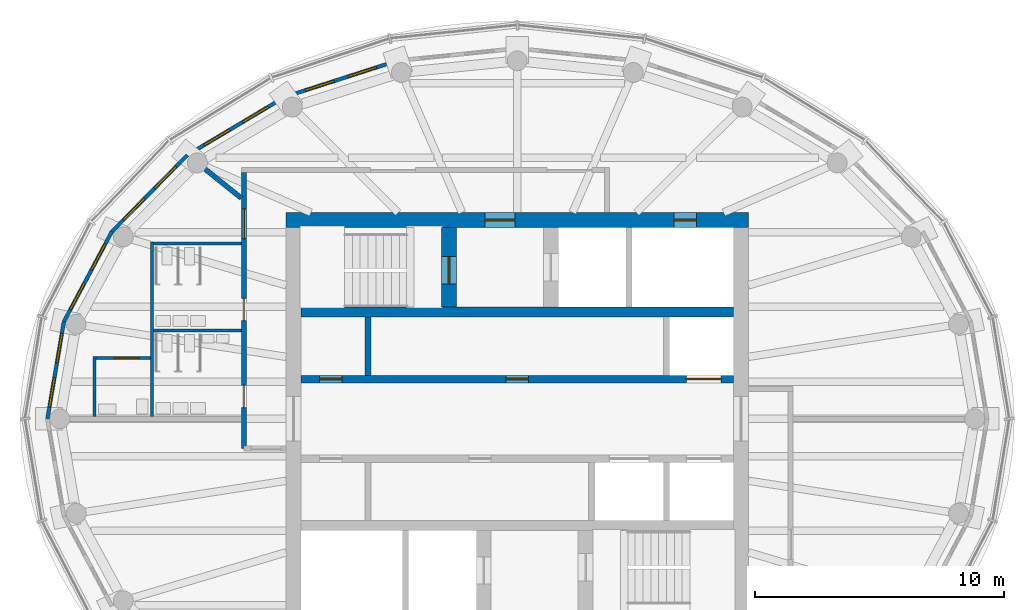
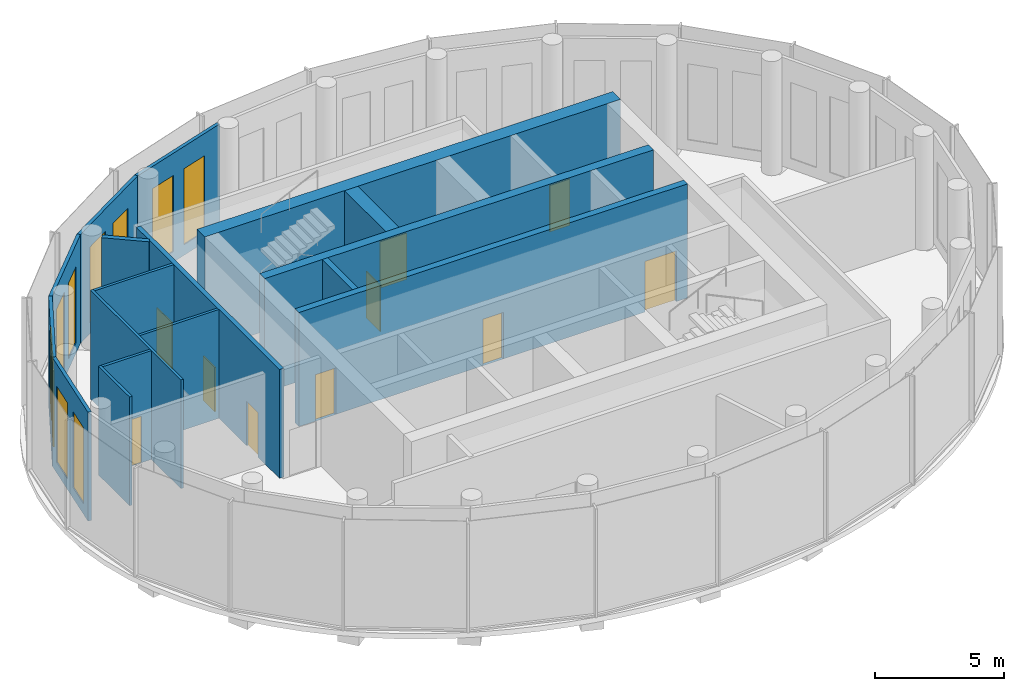
# One storey, part 6 of 11: 17 walls, 10 doors, 10 windows, 20 openings.
"""IFC4 building model written with IfcOpenShell, lengths in metres."""

import ifcopenshell
import ifcopenshell.guid

model = None  # the IFC model being written
_history = None  # IfcOwnerHistory: only IFC2X3 demands one
_inside = {}  # id of a spatial element -> (the spatial element, [elements in it])
_under = {}  # id of a project, library or spatial element -> (it, [spatial elements below it])
_declared = {}  # id of a project -> (the project, [libraries it declares])
_typed = {}  # id of a type object -> (the type object, [elements of that type])
_made_of = {}  # id of a material, layer set ... -> (it, [elements and type objects made of it])


def new_model(schema):
    """Start an empty IFC model of exactly this schema.

    Asked for "IFC4X3", IfcOpenShell would pick the latest addendum, in which some entities
    have other attributes; the version numbers below select the first issue.
    IFC2X3 requires an IfcOwnerHistory on every rooted entity: one is made here for all.
    """
    global model, _history
    if schema == "IFC4X3":
        model = ifcopenshell.file(schema_version=(4, 3, 0, 0))
    else:
        model = ifcopenshell.file(schema=schema)
    _inside.clear()
    _under.clear()
    _declared.clear()
    _typed.clear()
    _made_of.clear()
    _history = None
    if model.schema == "IFC2X3":
        org = make("IfcOrganization", Name="unknown")
        user = make(
            "IfcPersonAndOrganization",
            ThePerson=make("IfcPerson", FamilyName="unknown"),
            TheOrganization=org,
        )
        app = make(
            "IfcApplication",
            ApplicationDeveloper=org,
            Version="unknown",
            ApplicationFullName="unknown",
            ApplicationIdentifier="unknown",
        )
        _history = make(
            "IfcOwnerHistory",
            OwningUser=user,
            OwningApplication=app,
            ChangeAction="ADDED",
            CreationDate=0,
        )
    return model


def make(cls, **values):
    """One entity of the class cls with the attributes given. An attribute that is None is left unset."""
    return model.create_entity(
        cls, **{name: value for name, value in values.items() if value is not None}
    )


def rooted(cls, **values):
    """An entity with a GlobalId (a new one), such as an element, a storey or a relation."""
    return make(cls, GlobalId=ifcopenshell.guid.new(), OwnerHistory=_history, **values)


def si_unit(unit_type, name, prefix=None):
    """IfcSIUnit, for example si_unit("LENGTHUNIT", "METRE", prefix="MILLI")."""
    return make("IfcSIUnit", UnitType=unit_type, Prefix=prefix, Name=name)


def assignment(units):
    """IfcUnitAssignment: the units of a project."""
    return None if units is None else make("IfcUnitAssignment", Units=units)


def point(xyz):
    """IfcCartesianPoint."""
    return None if xyz is None else make("IfcCartesianPoint", Coordinates=xyz)


def direction(xyz):
    """IfcDirection."""
    return None if xyz is None else make("IfcDirection", DirectionRatios=xyz)


def frame(location, z_axis=None, x_axis=None):
    """IfcAxis2Placement3D, a coordinate frame: its origin and axes. An axis left out is left unset."""
    return make(
        "IfcAxis2Placement3D",
        Location=point(location),
        Axis=direction(z_axis),
        RefDirection=direction(x_axis),
    )


def frame_2d(location, x_axis=None):
    """IfcAxis2Placement2D, a coordinate frame in the plane: its origin and x axis."""
    return make(
        "IfcAxis2Placement2D", Location=point(location), RefDirection=direction(x_axis)
    )


def origin():
    """The frame at (0, 0, 0) with its axes left unset."""
    return frame((0.0, 0.0, 0.0))


def place(relative_to, where):
    """IfcLocalPlacement: puts the frame where relative to a parent placement (None: the world)."""
    return make(
        "IfcLocalPlacement", PlacementRelTo=relative_to, RelativePlacement=where
    )


def context(
    kind, dimensions, precision=None, world=None, true_north=None, identifier=None
):
    """IfcGeometricRepresentationContext, for example the 3D "Model" context."""
    return make(
        "IfcGeometricRepresentationContext",
        ContextIdentifier=identifier,
        ContextType=kind,
        CoordinateSpaceDimension=dimensions,
        Precision=precision,
        WorldCoordinateSystem=world,
        TrueNorth=true_north,
    )


def subcontext(parent, identifier, kind, view, scale=None):
    """IfcGeometricRepresentationSubContext, for example "Body" below "Model"."""
    return make(
        "IfcGeometricRepresentationSubContext",
        ContextIdentifier=identifier,
        ContextType=kind,
        ParentContext=parent,
        TargetScale=scale,
        TargetView=view,
    )


def project(units=None, contexts=None):
    """IfcProject with its units and contexts."""
    return rooted(
        "IfcProject",
        Name="project",
        RepresentationContexts=contexts,
        UnitsInContext=assignment(units),
    )


def spatial(cls, under=None, at=None, **own):
    """A site, building, storey or space (cls), placed at a placement, below another one or the project."""
    s = rooted(cls, ObjectPlacement=at, **own)
    if under is not None:
        _under.setdefault(under.id(), (under, []))[1].append(s)
    return s


def profile(cls, at=None, kind="AREA", **sizes):
    """A parametric profile (cls). Its sizes go by their IFC names, for example OverallWidth=200.0."""
    return make(cls, ProfileType=kind, Position=at, **sizes)


def rectangle(**sizes):
    """IfcRectangleProfileDef."""
    return profile("IfcRectangleProfileDef", **sizes)


def extrude(swept, where, along, depth):
    """IfcExtrudedAreaSolid: the profile swept, set in the frame where, extruded along a direction by depth."""
    return make(
        "IfcExtrudedAreaSolid",
        SweptArea=swept,
        Position=where,
        ExtrudedDirection=direction(along),
        Depth=depth,
    )


def shape(context_of_items, identifier, shape_type, items):
    """IfcShapeRepresentation: the items that make up one representation, for example the "Body"."""
    return make(
        "IfcShapeRepresentation",
        ContextOfItems=context_of_items,
        RepresentationIdentifier=identifier,
        RepresentationType=shape_type,
        Items=items,
    )


def material(Name=None, Category=None):
    """IfcMaterial."""
    return make("IfcMaterial", Name=Name, Category=Category)


def layer(
    of_material, thickness, ventilated=None, Name=None, Category=None, Priority=None
):
    """IfcMaterialLayer: one layer of a wall or slab, of a material (None: an air gap)."""
    return make(
        "IfcMaterialLayer",
        Material=of_material,
        LayerThickness=thickness,
        IsVentilated=ventilated,
        Name=Name,
        Category=Category,
        Priority=Priority,
    )


def layer_set(layers, Name=None):
    """IfcMaterialLayerSet."""
    return make("IfcMaterialLayerSet", MaterialLayers=layers, LayerSetName=Name)


def made_of(thing, what):
    """Note that an element or type object is made of a material, layer set ...; save() writes the relation."""
    if what is not None:
        _made_of.setdefault(what.id(), (what, []))[1].append(thing)
    return thing


def type_object(cls, material=None, **own):
    """A type object (cls), such as IfcWallType, which elements share."""
    return made_of(rooted(cls, **own), material)


def element(
    cls,
    number,
    at=None,
    inside=None,
    cuts=None,
    type_object=None,
    material=None,
    context=None,
    identifier="Body",
    shape_type=None,
    held_by="IfcProductDefinitionShape",
    body=None,
    shapes=None,
    **own,
):
    """One element of the class cls, such as IfcWall. Its Tag is "e" and its number.

    at: its placement. inside: the storey or other place that contains it. cuts: it is an
    opening in that element (IfcRelVoidsElement). A single representation is given by context,
    identifier, shape_type and body (its items); several are given by shapes. held_by: the class
    of the entity that holds the representations. save() writes the other relations.
    """
    e = rooted(cls, Tag="e%d" % number, ObjectPlacement=at, **own)
    if body is not None:
        shapes = [shape(context, identifier, shape_type, body)]
    if shapes is not None:
        e.Representation = make(held_by, Representations=shapes)
    if inside is not None:
        _inside.setdefault(inside.id(), (inside, []))[1].append(e)
    if cuts is not None:
        rooted(
            "IfcRelVoidsElement", RelatingBuildingElement=cuts, RelatedOpeningElement=e
        )
    if type_object is not None:
        _typed.setdefault(type_object.id(), (type_object, []))[1].append(e)
    return made_of(e, material)


def fill(opening, filler):
    """IfcRelFillsElement: the door or window that sits in an opening."""
    return rooted(
        "IfcRelFillsElement",
        RelatingOpeningElement=opening,
        RelatedBuildingElement=filler,
    )


def aggregate(whole, parts):
    """IfcRelAggregates: a whole, such as a stair, and the parts it consists of."""
    return rooted("IfcRelAggregates", RelatingObject=whole, RelatedObjects=parts)


def save(model, path):
    """Write the relations noted so far, then the file.

    IfcRelAggregates (storeys below a building ...), IfcRelContainedInSpatialStructure (elements
    in a storey), IfcRelDefinesByType, IfcRelAssociatesMaterial and IfcRelDeclares: one each for
    every whole, place, type object, material and project.
    """
    for whole, parts in _under.values():
        aggregate(whole, parts)
    for where, things in _inside.values():
        rooted(
            "IfcRelContainedInSpatialStructure",
            RelatedElements=things,
            RelatingStructure=where,
        )
    for kind, things in _typed.values():
        rooted("IfcRelDefinesByType", RelatedObjects=things, RelatingType=kind)
    for what, things in _made_of.values():
        rooted("IfcRelAssociatesMaterial", RelatedObjects=things, RelatingMaterial=what)
    for by, libraries in _declared.values():
        rooted("IfcRelDeclares", RelatingContext=by, RelatedDefinitions=libraries)
    model.write(path)


model = new_model("IFC4")

# Units and contexts
model_context = context("Model", 3, precision=1e-05, world=origin(), true_north=direction((0.0, 1.0)))
body_context = subcontext(model_context, "Body", "Model", "MODEL_VIEW")
ifc_project = project(units=[si_unit("LENGTHUNIT", "METRE"), si_unit("AREAUNIT", "SQUARE_METRE"), si_unit("VOLUMEUNIT", "CUBIC_METRE"), si_unit("PLANEANGLEUNIT", "RADIAN"), si_unit("MASSUNIT", "GRAM", prefix="KILO")], contexts=[model_context])

# Site, building, storey
site_placement = place(None, origin())
site = spatial("IfcSite", under=ifc_project, at=site_placement, CompositionType="ELEMENT")
building_placement = place(site_placement, origin())
building = spatial("IfcBuilding", under=site, at=building_placement, Name="Hankou Lantern Tower", CompositionType="ELEMENT")
storey_placement = place(building_placement, frame((0.0, 0.0, 237.300048828125)))
storey = spatial("IfcBuildingStorey", under=building, at=storey_placement, Name="L64", CompositionType="ELEMENT", Elevation=237.300048828125)

# Wall, openings, doors
ifc_material_1 = material(Name="Concrete C60", Category="concrete")
ifc_layer_1 = layer(ifc_material_1, 0.60009765625)
ifc_layer_set_1 = layer_set([ifc_layer_1], Name="Concrete C60")
wall_type_1 = type_object("IfcWallType", Name="CW3 CORE WALL 600", PredefinedType="SHEAR", material=ifc_layer_set_1)
wall_1_placement = place(storey_placement, frame((-9.300048828125, 8.0, 0.0), z_axis=(0.0, 0.0, 1.0), x_axis=(1.0, 0.0, 0.0)))
wall_1 = element("IfcWall", 1, at=wall_1_placement, inside=storey, type_object=wall_type_1, Name="Core wall north L64", PredefinedType="SHEAR", context=body_context, shape_type="SweptSolid", body=[
    extrude(rectangle(XDim=18.60009765625, YDim=0.60009765625, at=frame_2d((9.300048828125, 0.0))), origin(), (0.0, 0.0, 1.0), 5.39990234375),
])
opening_1_placement = place(wall_1_placement, frame((8.0, 0.0, 0.0)))
opening_1 = element("IfcOpeningElement", 2, at=opening_1_placement, cuts=wall_1, Name="Opening D5", PredefinedType="OPENING", context=body_context, shape_type="SweptSolid", body=[
    extrude(rectangle(XDim=1.199951171875, YDim=2.199951171875, at=frame_2d((0.60009765625, 1.10009765625))), frame((0.0, 0.31005859375, 0.0), z_axis=(0.0, -1.0, 0.0), x_axis=(1.0, 0.0, 0.0)), (0.0, 0.0, 1.0), 0.6201171875),
])
opening_2_placement = place(wall_1_placement, frame((15.60009765625, 0.0, 0.0)))
opening_2 = element("IfcOpeningElement", 3, at=opening_2_placement, cuts=wall_1, Name="Opening D7", PredefinedType="OPENING", context=body_context, shape_type="SweptSolid", body=[
    extrude(rectangle(XDim=0.89990234375, YDim=2.199951171875, at=frame_2d((0.449951171875, 1.10009765625))), frame((0.0, 0.31005859375, 0.0), z_axis=(0.0, -1.0, 0.0), x_axis=(1.0, 0.0, 0.0)), (0.0, 0.0, 1.0), 0.6201171875),
])
ifc_material_2 = material(Name="Steel door leaf", Category="steel")
door_type_1 = type_object("IfcDoorType", Name="D5 STAIR LOBBY DOOR 1200X2200", OperationType="SINGLE_SWING_LEFT", PredefinedType="DOOR", material=ifc_material_2)
door_1_placement = place(opening_1_placement, origin())
door_1 = element("IfcDoor", 4, at=door_1_placement, inside=storey, type_object=door_type_1, Name="Stair A lobby door", OperationType="SINGLE_SWING_RIGHT", OverallHeight=2.199951171875, OverallWidth=1.199951171875, PredefinedType="DOOR", context=body_context, shape_type="SweptSolid", body=[
    extrude(rectangle(XDim=1.199951171875, YDim=2.199951171875, at=frame_2d((0.60009765625, 1.10009765625))), frame((0.0, 0.02490234375, 0.0), z_axis=(0.0, -1.0, 0.0), x_axis=(1.0, 0.0, 0.0)), (0.0, 0.0, 1.0), 0.050048828125),
])
fill(opening_1, door_1)
ifc_material_3 = material(Name="Steel door leaf", Category="steel")
door_type_2 = type_object("IfcDoorType", Name="D7 RISER DOOR 900X2200", OperationType="SINGLE_SWING_LEFT", PredefinedType="DOOR", material=ifc_material_3)
door_2_placement = place(opening_2_placement, origin())
door_2 = element("IfcDoor", 5, at=door_2_placement, inside=storey, type_object=door_type_2, Name="Riser N1 door", OperationType="SINGLE_SWING_LEFT", OverallHeight=2.199951171875, OverallWidth=0.89990234375, PredefinedType="DOOR", context=body_context, shape_type="SweptSolid", body=[
    extrude(rectangle(XDim=0.89990234375, YDim=2.199951171875, at=frame_2d((0.449951171875, 1.10009765625))), frame((0.0, 0.02490234375, 0.0), z_axis=(0.0, -1.0, 0.0), x_axis=(1.0, 0.0, 0.0)), (0.0, 0.0, 1.0), 0.050048828125),
])
fill(opening_2, door_2)

# Wall
ifc_material_4 = material(Name="Concrete C60", Category="concrete")
ifc_layer_2 = layer(ifc_material_4, 0.39990234375)
ifc_layer_set_2 = layer_set([ifc_layer_2], Name="Concrete C60")
wall_type_2 = type_object("IfcWallType", Name="CW4 CORE CROSS WALL 400", PredefinedType="SHEAR", material=ifc_layer_set_2)
wall_2_placement = place(storey_placement, frame((-8.699951171875, 4.300048828125, 0.0), z_axis=(0.0, 0.0, 1.0), x_axis=(1.0, 0.0, 0.0)))
element("IfcWall", 6, at=wall_2_placement, inside=storey, type_object=wall_type_2, Name="Core band wall north L64", PredefinedType="SHEAR", context=body_context, shape_type="SweptSolid", body=[
    extrude(rectangle(XDim=17.39990234375, YDim=0.39990234375, at=frame_2d((8.699951171875, 0.0))), origin(), (0.0, 0.0, 1.0), 5.39990234375),
])

# Wall, openings, doors
ifc_material_5 = material(Name="Concrete C60", Category="concrete")
ifc_layer_3 = layer(ifc_material_5, 0.300048828125)
ifc_layer_set_3 = layer_set([ifc_layer_3], Name="Concrete C60")
wall_type_3 = type_object("IfcWallType", Name="CW5 LIFT LOBBY WALL 300", PredefinedType="SHEAR", material=ifc_layer_set_3)
wall_3_placement = place(storey_placement, frame((-8.699951171875, 1.60009765625, 0.0), z_axis=(0.0, 0.0, 1.0), x_axis=(1.0, 0.0, 0.0)))
wall_3 = element("IfcWall", 7, at=wall_3_placement, inside=storey, type_object=wall_type_3, Name="Lift lobby wall north L64", PredefinedType="SHEAR", context=body_context, shape_type="SweptSolid", body=[
    extrude(rectangle(XDim=17.39990234375, YDim=0.300048828125, at=frame_2d((8.699951171875, 0.0))), origin(), (0.0, 0.0, 1.0), 5.39990234375),
])
opening_3_placement = place(wall_3_placement, frame((15.5, 0.0, 0.0)))
opening_3 = element("IfcOpeningElement", 8, at=opening_3_placement, cuts=wall_3, Name="Opening LD3", PredefinedType="OPENING", context=body_context, shape_type="SweptSolid", body=[
    extrude(rectangle(XDim=1.39990234375, YDim=2.39990234375, at=frame_2d((0.699951171875, 1.199951171875))), frame((0.0, 0.159912109375, 0.0), z_axis=(0.0, -1.0, 0.0), x_axis=(1.0, 0.0, 0.0)), (0.0, 0.0, 1.0), 0.320068359375),
])
opening_4_placement = place(wall_3_placement, frame((0.75, 0.0, 0.0)))
opening_4 = element("IfcOpeningElement", 9, at=opening_4_placement, cuts=wall_3, Name="Opening D30", PredefinedType="OPENING", context=body_context, shape_type="SweptSolid", body=[
    extrude(rectangle(XDim=0.89990234375, YDim=2.199951171875, at=frame_2d((0.449951171875, 1.10009765625))), frame((0.0, 0.159912109375, 0.0), z_axis=(0.0, -1.0, 0.0), x_axis=(1.0, 0.0, 0.0)), (0.0, 0.0, 1.0), 0.320068359375),
])
opening_5_placement = place(wall_3_placement, frame((8.25, 0.0, 0.0)))
opening_5 = element("IfcOpeningElement", 10, at=opening_5_placement, cuts=wall_3, Name="Opening D30", PredefinedType="OPENING", context=body_context, shape_type="SweptSolid", body=[
    extrude(rectangle(XDim=0.89990234375, YDim=2.199951171875, at=frame_2d((0.449951171875, 1.10009765625))), frame((0.0, 0.159912109375, 0.0), z_axis=(0.0, -1.0, 0.0), x_axis=(1.0, 0.0, 0.0)), (0.0, 0.0, 1.0), 0.320068359375),
])
ifc_material_6 = material(Name="Steel door leaf", Category="steel")
door_type_3 = type_object("IfcDoorType", Name="D30 CORE ROOM DOOR 900X2200", OperationType="SINGLE_SWING_LEFT", PredefinedType="DOOR", material=ifc_material_6)
door_3_placement = place(opening_4_placement, origin())
door_3 = element("IfcDoor", 11, at=door_3_placement, inside=storey, type_object=door_type_3, Name="Bar store door", OperationType="SINGLE_SWING_LEFT", OverallHeight=2.199951171875, OverallWidth=0.89990234375, PredefinedType="DOOR", context=body_context, shape_type="SweptSolid", body=[
    extrude(rectangle(XDim=0.89990234375, YDim=2.199951171875, at=frame_2d((0.449951171875, 1.10009765625))), frame((0.0, 0.02490234375, 0.0), z_axis=(0.0, -1.0, 0.0), x_axis=(1.0, 0.0, 0.0)), (0.0, 0.0, 1.0), 0.050048828125),
])
fill(opening_4, door_3)
door_4_placement = place(opening_5_placement, origin())
door_4 = element("IfcDoor", 12, at=door_4_placement, inside=storey, type_object=door_type_3, Name="Cleaner's store door", OperationType="SINGLE_SWING_LEFT", OverallHeight=2.199951171875, OverallWidth=0.89990234375, PredefinedType="DOOR", context=body_context, shape_type="SweptSolid", body=[
    extrude(rectangle(XDim=0.89990234375, YDim=2.199951171875, at=frame_2d((0.449951171875, 1.10009765625))), frame((0.0, 0.02490234375, 0.0), z_axis=(0.0, -1.0, 0.0), x_axis=(1.0, 0.0, 0.0)), (0.0, 0.0, 1.0), 0.050048828125),
])
fill(opening_5, door_4)
ifc_material_7 = material(Name="Steel door leaf", Category="steel")
door_type_4 = type_object("IfcDoorType", Name="LD3 OBSERVATION LIFT LANDING DOOR 1400X2400", OperationType="DOUBLE_DOOR_SLIDING", PredefinedType="DOOR", material=ifc_material_7)
door_5_placement = place(opening_3_placement, origin())
door_5 = element("IfcDoor", 13, at=door_5_placement, inside=storey, type_object=door_type_4, Name="Lift OB1 landing door", OperationType="DOUBLE_DOOR_SLIDING", OverallHeight=2.39990234375, OverallWidth=1.39990234375, PredefinedType="DOOR", context=body_context, shape_type="SweptSolid", body=[
    extrude(rectangle(XDim=1.39990234375, YDim=2.39990234375, at=frame_2d((0.699951171875, 1.199951171875))), frame((0.0, 0.02490234375, 0.0), z_axis=(0.0, -1.0, 0.0), x_axis=(1.0, 0.0, 0.0)), (0.0, 0.0, 1.0), 0.050048828125),
])
fill(opening_3, door_5)

# Wall, opening, door
ifc_material_8 = material(Name="Concrete C60", Category="concrete")
ifc_layer_4 = layer(ifc_material_8, 0.60009765625)
ifc_layer_set_4 = layer_set([ifc_layer_4], Name="Concrete C60")
wall_type_4 = type_object("IfcWallType", Name="CW6 STAIR AND SHAFT WALL 600", PredefinedType="SHEAR", material=ifc_layer_set_4)
wall_4_placement = place(storey_placement, frame((-2.75, 4.5, 0.0), z_axis=(0.0, 0.0, 1.0), x_axis=(0.0, 1.0, 0.0)))
wall_4 = element("IfcWall", 14, at=wall_4_placement, inside=storey, type_object=wall_type_4, Name="Stair wall L64", PredefinedType="SHEAR", context=body_context, shape_type="SweptSolid", body=[
    extrude(rectangle(XDim=3.199951171875, YDim=0.60009765625, at=frame_2d((1.60009765625, 0.0))), origin(), (0.0, 0.0, 1.0), 5.39990234375),
])
opening_6_placement = place(wall_4_placement, frame((0.925048828125, 0.0, 0.0)))
opening_6 = element("IfcOpeningElement", 15, at=opening_6_placement, cuts=wall_4, Name="Opening D4", PredefinedType="OPENING", context=body_context, shape_type="SweptSolid", body=[
    extrude(rectangle(XDim=1.10009765625, YDim=2.199951171875, at=frame_2d((0.550048828125, 1.10009765625))), frame((0.0, 0.31005859375, 0.0), z_axis=(0.0, -1.0, 0.0), x_axis=(1.0, 0.0, 0.0)), (0.0, 0.0, 1.0), 0.6201171875),
])
ifc_material_9 = material(Name="Steel door leaf", Category="steel")
door_type_5 = type_object("IfcDoorType", Name="D4 STAIR DOOR 1100X2200", OperationType="SINGLE_SWING_LEFT", PredefinedType="DOOR", material=ifc_material_9)
door_6_placement = place(opening_6_placement, origin())
door_6 = element("IfcDoor", 16, at=door_6_placement, inside=storey, type_object=door_type_5, Name="Stair A door", OperationType="SINGLE_SWING_LEFT", OverallHeight=2.199951171875, OverallWidth=1.10009765625, PredefinedType="DOOR", context=body_context, shape_type="SweptSolid", body=[
    extrude(rectangle(XDim=1.10009765625, YDim=2.199951171875, at=frame_2d((0.550048828125, 1.10009765625))), frame((0.0, 0.02490234375, 0.0), z_axis=(0.0, -1.0, 0.0), x_axis=(1.0, 0.0, 0.0)), (0.0, 0.0, 1.0), 0.050048828125),
])
fill(opening_6, door_6)

# Wall, openings, windows
ifc_material_10 = material(Name="Aluminium spandrel panel on steel studs", Category="steel")
ifc_layer_5 = layer(ifc_material_10, 0.14990234375)
ifc_layer_set_5 = layer_set([ifc_layer_5], Name="Aluminium spandrel panel on steel studs")
wall_type_5 = type_object("IfcWallType", Name="EW1 INNER SKIN WALL 150", PredefinedType="ELEMENTEDWALL", material=ifc_layer_set_5)
wall_5_placement = place(storey_placement, frame((-4.8251953125, 14.40625, 0.0), z_axis=(0.0, 0.0, 1.0), x_axis=(-0.951881908824, -0.306465057804, 0.0)))
wall_5 = element("IfcWall", 17, at=wall_5_placement, inside=storey, type_object=wall_type_5, Name="Inner skin R08-R09 L64", PredefinedType="ELEMENTEDWALL", context=body_context, shape_type="SweptSolid", body=[
    extrude(rectangle(XDim=4.74951171875, YDim=0.14990234375, at=frame_2d((2.374755859375, 0.0))), origin(), (0.0, 0.0, 1.0), 5.14990234375),
])
opening_7_placement = place(wall_5_placement, frame((0.874755859375, 0.0, 0.5)))
opening_7 = element("IfcOpeningElement", 18, at=opening_7_placement, cuts=wall_5, Name="Opening W7", PredefinedType="OPENING", context=body_context, shape_type="SweptSolid", body=[
    extrude(rectangle(XDim=1.199951171875, YDim=3.60009765625, at=frame_2d((0.60009765625, 1.800048828125))), frame((0.0, 0.0849609375, 0.0), z_axis=(0.0, -1.0, 0.0), x_axis=(1.0, 0.0, 0.0)), (0.0, 0.0, 1.0), 0.169921875),
])
opening_8_placement = place(wall_5_placement, frame((2.6748046875, 0.0, 0.5)))
opening_8 = element("IfcOpeningElement", 19, at=opening_8_placement, cuts=wall_5, Name="Opening W7", PredefinedType="OPENING", context=body_context, shape_type="SweptSolid", body=[
    extrude(rectangle(XDim=1.199951171875, YDim=3.60009765625, at=frame_2d((0.60009765625, 1.800048828125))), frame((0.0, 0.0849609375, 0.0), z_axis=(0.0, -1.0, 0.0), x_axis=(1.0, 0.0, 0.0)), (0.0, 0.0, 1.0), 0.169921875),
])
ifc_material_11 = material(Name="Aluminium framed double glazed window", Category="aluminium")
window_type = type_object("IfcWindowType", Name="W7 RESTAURANT WINDOW 1200X3600", PartitioningType="DOUBLE_PANEL_VERTICAL", PredefinedType="WINDOW", material=ifc_material_11)
window_1_placement = place(opening_7_placement, origin())
window_1 = element("IfcWindow", 20, at=window_1_placement, inside=storey, type_object=window_type, Name="Window R08.1 L64", OverallHeight=3.60009765625, OverallWidth=1.199951171875, PartitioningType="SINGLE_PANEL", PredefinedType="WINDOW", context=body_context, shape_type="SweptSolid", body=[
    extrude(rectangle(XDim=1.199951171875, YDim=3.60009765625, at=frame_2d((0.60009765625, 1.800048828125))), frame((0.0, 0.030029296875, 0.0), z_axis=(0.0, -1.0, 0.0), x_axis=(1.0, 0.0, 0.0)), (0.0, 0.0, 1.0), 0.06005859375),
])
fill(opening_7, window_1)
window_2_placement = place(opening_8_placement, origin())
window_2 = element("IfcWindow", 21, at=window_2_placement, inside=storey, type_object=window_type, Name="Window R08.2 L64", OverallHeight=3.60009765625, OverallWidth=1.199951171875, PartitioningType="SINGLE_PANEL", PredefinedType="WINDOW", context=body_context, shape_type="SweptSolid", body=[
    extrude(rectangle(XDim=1.199951171875, YDim=3.60009765625, at=frame_2d((0.60009765625, 1.800048828125))), frame((0.0, 0.030029296875, 0.0), z_axis=(0.0, -1.0, 0.0), x_axis=(1.0, 0.0, 0.0)), (0.0, 0.0, 1.0), 0.06005859375),
])
fill(opening_8, window_2)

wall_6_placement = place(storey_placement, frame((-9.34619140625, 12.95068359375, 0.0), z_axis=(0.0, 0.0, 1.0), x_axis=(-0.858849230109, -0.512228464594, 0.0)))
wall_6 = element("IfcWall", 22, at=wall_6_placement, inside=storey, type_object=wall_type_5, Name="Inner skin R09-R10 L64", PredefinedType="ELEMENTEDWALL", context=body_context, shape_type="SweptSolid", body=[
    extrude(rectangle(XDim=4.564208984375, YDim=0.14990234375, at=frame_2d((2.2822265625, 0.0))), origin(), (0.0, 0.0, 1.0), 5.14990234375),
])
opening_9_placement = place(wall_6_placement, frame((0.781982421875, 0.0, 0.5)))
opening_9 = element("IfcOpeningElement", 23, at=opening_9_placement, cuts=wall_6, Name="Opening W7", PredefinedType="OPENING", context=body_context, shape_type="SweptSolid", body=[
    extrude(rectangle(XDim=1.199951171875, YDim=3.60009765625, at=frame_2d((0.60009765625, 1.800048828125))), frame((0.0, 0.0849609375, 0.0), z_axis=(0.0, -1.0, 0.0), x_axis=(1.0, 0.0, 0.0)), (0.0, 0.0, 1.0), 0.169921875),
])
opening_10_placement = place(wall_6_placement, frame((2.58203125, 0.0, 0.5)))
opening_10 = element("IfcOpeningElement", 24, at=opening_10_placement, cuts=wall_6, Name="Opening W7", PredefinedType="OPENING", context=body_context, shape_type="SweptSolid", body=[
    extrude(rectangle(XDim=1.199951171875, YDim=3.60009765625, at=frame_2d((0.60009765625, 1.800048828125))), frame((0.0, 0.0849609375, 0.0), z_axis=(0.0, -1.0, 0.0), x_axis=(1.0, 0.0, 0.0)), (0.0, 0.0, 1.0), 0.169921875),
])
window_3_placement = place(opening_9_placement, origin())
window_3 = element("IfcWindow", 25, at=window_3_placement, inside=storey, type_object=window_type, Name="Window R09.1 L64", OverallHeight=3.60009765625, OverallWidth=1.199951171875, PartitioningType="SINGLE_PANEL", PredefinedType="WINDOW", context=body_context, shape_type="SweptSolid", body=[
    extrude(rectangle(XDim=1.199951171875, YDim=3.60009765625, at=frame_2d((0.60009765625, 1.800048828125))), frame((0.0, 0.030029296875, 0.0), z_axis=(0.0, -1.0, 0.0), x_axis=(1.0, 0.0, 0.0)), (0.0, 0.0, 1.0), 0.06005859375),
])
fill(opening_9, window_3)
window_4_placement = place(opening_10_placement, origin())
window_4 = element("IfcWindow", 26, at=window_4_placement, inside=storey, type_object=window_type, Name="Window R09.2 L64", OverallHeight=3.60009765625, OverallWidth=1.199951171875, PartitioningType="SINGLE_PANEL", PredefinedType="WINDOW", context=body_context, shape_type="SweptSolid", body=[
    extrude(rectangle(XDim=1.199951171875, YDim=3.60009765625, at=frame_2d((0.60009765625, 1.800048828125))), frame((0.0, 0.030029296875, 0.0), z_axis=(0.0, -1.0, 0.0), x_axis=(1.0, 0.0, 0.0)), (0.0, 0.0, 1.0), 0.06005859375),
])
fill(opening_10, window_4)

wall_7_placement = place(storey_placement, frame((-13.26611328125, 10.61279296875, 0.0), z_axis=(0.0, 0.0, 1.0), x_axis=(-0.702523956258, -0.711660095048, 0.0)))
wall_7 = element("IfcWall", 27, at=wall_7_placement, inside=storey, type_object=wall_type_5, Name="Inner skin R10-R11 L64", PredefinedType="ELEMENTEDWALL", context=body_context, shape_type="SweptSolid", body=[
    extrude(rectangle(XDim=4.3291015625, YDim=0.14990234375, at=frame_2d((2.16455078125, 0.0))), origin(), (0.0, 0.0, 1.0), 5.14990234375),
])
opening_11_placement = place(wall_7_placement, frame((0.66455078125, 0.0, 0.5)))
opening_11 = element("IfcOpeningElement", 28, at=opening_11_placement, cuts=wall_7, Name="Opening W7", PredefinedType="OPENING", context=body_context, shape_type="SweptSolid", body=[
    extrude(rectangle(XDim=1.199951171875, YDim=3.60009765625, at=frame_2d((0.60009765625, 1.800048828125))), frame((0.0, 0.0849609375, 0.0), z_axis=(0.0, -1.0, 0.0), x_axis=(1.0, 0.0, 0.0)), (0.0, 0.0, 1.0), 0.169921875),
])
opening_12_placement = place(wall_7_placement, frame((2.464599609375, 0.0, 0.5)))
opening_12 = element("IfcOpeningElement", 29, at=opening_12_placement, cuts=wall_7, Name="Opening W7", PredefinedType="OPENING", context=body_context, shape_type="SweptSolid", body=[
    extrude(rectangle(XDim=1.199951171875, YDim=3.60009765625, at=frame_2d((0.60009765625, 1.800048828125))), frame((0.0, 0.0849609375, 0.0), z_axis=(0.0, -1.0, 0.0), x_axis=(1.0, 0.0, 0.0)), (0.0, 0.0, 1.0), 0.169921875),
])
window_5_placement = place(opening_11_placement, origin())
window_5 = element("IfcWindow", 30, at=window_5_placement, inside=storey, type_object=window_type, Name="Window R10.1 L64", OverallHeight=3.60009765625, OverallWidth=1.199951171875, PartitioningType="SINGLE_PANEL", PredefinedType="WINDOW", context=body_context, shape_type="SweptSolid", body=[
    extrude(rectangle(XDim=1.199951171875, YDim=3.60009765625, at=frame_2d((0.60009765625, 1.800048828125))), frame((0.0, 0.030029296875, 0.0), z_axis=(0.0, -1.0, 0.0), x_axis=(1.0, 0.0, 0.0)), (0.0, 0.0, 1.0), 0.06005859375),
])
fill(opening_11, window_5)
window_6_placement = place(opening_12_placement, origin())
window_6 = element("IfcWindow", 31, at=window_6_placement, inside=storey, type_object=window_type, Name="Window R10.2 L64", OverallHeight=3.60009765625, OverallWidth=1.199951171875, PartitioningType="SINGLE_PANEL", PredefinedType="WINDOW", context=body_context, shape_type="SweptSolid", body=[
    extrude(rectangle(XDim=1.199951171875, YDim=3.60009765625, at=frame_2d((0.60009765625, 1.800048828125))), frame((0.0, 0.030029296875, 0.0), z_axis=(0.0, -1.0, 0.0), x_axis=(1.0, 0.0, 0.0)), (0.0, 0.0, 1.0), 0.06005859375),
])
fill(opening_12, window_6)

wall_8_placement = place(storey_placement, frame((-16.307373046875, 7.531982421875, 0.0), z_axis=(0.0, 0.0, 1.0), x_axis=(-0.470282591286, -0.882515883332, 0.0)))
wall_8 = element("IfcWall", 32, at=wall_8_placement, inside=storey, type_object=wall_type_5, Name="Inner skin R11-R12 L64", PredefinedType="ELEMENTEDWALL", context=body_context, shape_type="SweptSolid", body=[
    extrude(rectangle(XDim=4.104736328125, YDim=0.14990234375, at=frame_2d((2.05224609375, 0.0))), origin(), (0.0, 0.0, 1.0), 5.14990234375),
])
opening_13_placement = place(wall_8_placement, frame((0.552490234375, 0.0, 0.5)))
opening_13 = element("IfcOpeningElement", 33, at=opening_13_placement, cuts=wall_8, Name="Opening W7", PredefinedType="OPENING", context=body_context, shape_type="SweptSolid", body=[
    extrude(rectangle(XDim=1.199951171875, YDim=3.60009765625, at=frame_2d((0.60009765625, 1.800048828125))), frame((0.0, 0.0849609375, 0.0), z_axis=(0.0, -1.0, 0.0), x_axis=(1.0, 0.0, 0.0)), (0.0, 0.0, 1.0), 0.169921875),
])
opening_14_placement = place(wall_8_placement, frame((2.3525390625, 0.0, 0.5)))
opening_14 = element("IfcOpeningElement", 34, at=opening_14_placement, cuts=wall_8, Name="Opening W7", PredefinedType="OPENING", context=body_context, shape_type="SweptSolid", body=[
    extrude(rectangle(XDim=1.199951171875, YDim=3.60009765625, at=frame_2d((0.60009765625, 1.800048828125))), frame((0.0, 0.0849609375, 0.0), z_axis=(0.0, -1.0, 0.0), x_axis=(1.0, 0.0, 0.0)), (0.0, 0.0, 1.0), 0.169921875),
])
window_7_placement = place(opening_13_placement, origin())
window_7 = element("IfcWindow", 35, at=window_7_placement, inside=storey, type_object=window_type, Name="Window R11.1 L64", OverallHeight=3.60009765625, OverallWidth=1.199951171875, PartitioningType="SINGLE_PANEL", PredefinedType="WINDOW", context=body_context, shape_type="SweptSolid", body=[
    extrude(rectangle(XDim=1.199951171875, YDim=3.60009765625, at=frame_2d((0.60009765625, 1.800048828125))), frame((0.0, 0.030029296875, 0.0), z_axis=(0.0, -1.0, 0.0), x_axis=(1.0, 0.0, 0.0)), (0.0, 0.0, 1.0), 0.06005859375),
])
fill(opening_13, window_7)
window_8_placement = place(opening_14_placement, origin())
window_8 = element("IfcWindow", 36, at=window_8_placement, inside=storey, type_object=window_type, Name="Window R11.2 L64", OverallHeight=3.60009765625, OverallWidth=1.199951171875, PartitioningType="SINGLE_PANEL", PredefinedType="WINDOW", context=body_context, shape_type="SweptSolid", body=[
    extrude(rectangle(XDim=1.199951171875, YDim=3.60009765625, at=frame_2d((0.60009765625, 1.800048828125))), frame((0.0, 0.030029296875, 0.0), z_axis=(0.0, -1.0, 0.0), x_axis=(1.0, 0.0, 0.0)), (0.0, 0.0, 1.0), 0.06005859375),
])
fill(opening_14, window_8)

wall_9_placement = place(storey_placement, frame((-18.23779296875, 3.909423828125, 0.0), z_axis=(0.0, 0.0, 1.0), x_axis=(-0.166984464914, -0.985959526795, 0.0)))
wall_9 = element("IfcWall", 37, at=wall_9_placement, inside=storey, type_object=wall_type_5, Name="Inner skin R12-R13 L64", PredefinedType="ELEMENTEDWALL", context=body_context, shape_type="SweptSolid", body=[
    extrude(rectangle(XDim=3.965087890625, YDim=0.14990234375, at=frame_2d((1.982421875, 0.0))), origin(), (0.0, 0.0, 1.0), 5.14990234375),
])
opening_15_placement = place(wall_9_placement, frame((0.482666015625, 0.0, 0.5)))
opening_15 = element("IfcOpeningElement", 38, at=opening_15_placement, cuts=wall_9, Name="Opening W7", PredefinedType="OPENING", context=body_context, shape_type="SweptSolid", body=[
    extrude(rectangle(XDim=1.199951171875, YDim=3.60009765625, at=frame_2d((0.60009765625, 1.800048828125))), frame((0.0, 0.0849609375, 0.0), z_axis=(0.0, -1.0, 0.0), x_axis=(1.0, 0.0, 0.0)), (0.0, 0.0, 1.0), 0.169921875),
])
opening_16_placement = place(wall_9_placement, frame((2.282470703125, 0.0, 0.5)))
opening_16 = element("IfcOpeningElement", 39, at=opening_16_placement, cuts=wall_9, Name="Opening W7", PredefinedType="OPENING", context=body_context, shape_type="SweptSolid", body=[
    extrude(rectangle(XDim=1.199951171875, YDim=3.60009765625, at=frame_2d((0.60009765625, 1.800048828125))), frame((0.0, 0.0849609375, 0.0), z_axis=(0.0, -1.0, 0.0), x_axis=(1.0, 0.0, 0.0)), (0.0, 0.0, 1.0), 0.169921875),
])
window_9_placement = place(opening_15_placement, origin())
window_9 = element("IfcWindow", 40, at=window_9_placement, inside=storey, type_object=window_type, Name="Window R12.1 L64", OverallHeight=3.60009765625, OverallWidth=1.199951171875, PartitioningType="SINGLE_PANEL", PredefinedType="WINDOW", context=body_context, shape_type="SweptSolid", body=[
    extrude(rectangle(XDim=1.199951171875, YDim=3.60009765625, at=frame_2d((0.60009765625, 1.800048828125))), frame((0.0, 0.030029296875, 0.0), z_axis=(0.0, -1.0, 0.0), x_axis=(1.0, 0.0, 0.0)), (0.0, 0.0, 1.0), 0.06005859375),
])
fill(opening_15, window_9)
window_10_placement = place(opening_16_placement, origin())
window_10 = element("IfcWindow", 41, at=window_10_placement, inside=storey, type_object=window_type, Name="Window R12.2 L64", OverallHeight=3.60009765625, OverallWidth=1.199951171875, PartitioningType="SINGLE_PANEL", PredefinedType="WINDOW", context=body_context, shape_type="SweptSolid", body=[
    extrude(rectangle(XDim=1.199951171875, YDim=3.60009765625, at=frame_2d((0.60009765625, 1.800048828125))), frame((0.0, 0.030029296875, 0.0), z_axis=(0.0, -1.0, 0.0), x_axis=(1.0, 0.0, 0.0)), (0.0, 0.0, 1.0), 0.06005859375),
])
fill(opening_16, window_10)

# Wall, openings, doors
ifc_material_12 = material(Name="Masonry lightweight concrete block", Category="masonry")
ifc_layer_6 = layer(ifc_material_12, 0.199951171875)
ifc_layer_set_6 = layer_set([ifc_layer_6], Name="Masonry lightweight concrete block")
wall_type_6 = type_object("IfcWallType", Name="IW2 CORRIDOR WALL 200", PredefinedType="PARTITIONING", material=ifc_layer_set_6)
wall_10_placement = place(storey_placement, frame((-11.0, 9.89990234375, 0.0), z_axis=(0.0, 0.0, 1.0), x_axis=(0.0, -1.0, 0.0)))
wall_10 = element("IfcWall", 42, at=wall_10_placement, inside=storey, type_object=wall_type_6, Name="Corridor wall west", PredefinedType="PARTITIONING", context=body_context, shape_type="SweptSolid", body=[
    extrude(rectangle(XDim=11.099853515625, YDim=0.199951171875, at=frame_2d((5.5498046875, 0.0))), origin(), (0.0, 0.0, 1.0), 5.14990234375),
])
opening_17_placement = place(wall_10_placement, frame((1.449951171875, 0.0, 0.0)))
opening_17 = element("IfcOpeningElement", 43, at=opening_17_placement, cuts=wall_10, Name="Opening D24", PredefinedType="OPENING", context=body_context, shape_type="SweptSolid", body=[
    extrude(rectangle(XDim=1.199951171875, YDim=2.199951171875, at=frame_2d((0.60009765625, 1.10009765625))), frame((0.0, 0.10986328125, 0.0), z_axis=(0.0, -1.0, 0.0), x_axis=(1.0, 0.0, 0.0)), (0.0, 0.0, 1.0), 0.219970703125),
])
opening_18_placement = place(wall_10_placement, frame((8.550048828125, 0.0, 0.0)))
opening_18 = element("IfcOpeningElement", 44, at=opening_18_placement, cuts=wall_10, Name="Opening D10", PredefinedType="OPENING", context=body_context, shape_type="SweptSolid", body=[
    extrude(rectangle(XDim=0.89990234375, YDim=2.10009765625, at=frame_2d((0.449951171875, 1.050048828125))), frame((0.0, 0.10986328125, 0.0), z_axis=(0.0, -1.0, 0.0), x_axis=(1.0, 0.0, 0.0)), (0.0, 0.0, 1.0), 0.219970703125),
])
opening_19_placement = place(wall_10_placement, frame((5.050048828125, 0.0, 0.0)))
opening_19 = element("IfcOpeningElement", 45, at=opening_19_placement, cuts=wall_10, Name="Opening D10", PredefinedType="OPENING", context=body_context, shape_type="SweptSolid", body=[
    extrude(rectangle(XDim=0.89990234375, YDim=2.10009765625, at=frame_2d((0.449951171875, 1.050048828125))), frame((0.0, 0.10986328125, 0.0), z_axis=(0.0, -1.0, 0.0), x_axis=(1.0, 0.0, 0.0)), (0.0, 0.0, 1.0), 0.219970703125),
])
ifc_material_13 = material(Name="Timber door leaf", Category="wood")
door_type_6 = type_object("IfcDoorType", Name="D10 WC DOOR 900X2100", OperationType="SINGLE_SWING_LEFT", PredefinedType="DOOR", material=ifc_material_13)
door_7_placement = place(opening_18_placement, origin())
door_7 = element("IfcDoor", 46, at=door_7_placement, inside=storey, type_object=door_type_6, Name="Male WC door", OperationType="SINGLE_SWING_RIGHT", OverallHeight=2.10009765625, OverallWidth=0.89990234375, PredefinedType="DOOR", context=body_context, shape_type="SweptSolid", body=[
    extrude(rectangle(XDim=0.89990234375, YDim=2.10009765625, at=frame_2d((0.449951171875, 1.050048828125))), frame((0.0, 0.02490234375, 0.0), z_axis=(0.0, -1.0, 0.0), x_axis=(1.0, 0.0, 0.0)), (0.0, 0.0, 1.0), 0.050048828125),
])
fill(opening_18, door_7)
door_8_placement = place(opening_19_placement, origin())
door_8 = element("IfcDoor", 47, at=door_8_placement, inside=storey, type_object=door_type_6, Name="Female WC door", OperationType="SINGLE_SWING_LEFT", OverallHeight=2.10009765625, OverallWidth=0.89990234375, PredefinedType="DOOR", context=body_context, shape_type="SweptSolid", body=[
    extrude(rectangle(XDim=0.89990234375, YDim=2.10009765625, at=frame_2d((0.449951171875, 1.050048828125))), frame((0.0, 0.02490234375, 0.0), z_axis=(0.0, -1.0, 0.0), x_axis=(1.0, 0.0, 0.0)), (0.0, 0.0, 1.0), 0.050048828125),
])
fill(opening_19, door_8)
ifc_material_14 = material(Name="Timber door leaf", Category="wood")
door_type_7 = type_object("IfcDoorType", Name="D24 WIDE ROOM DOOR 1200X2200", OperationType="SINGLE_SWING_LEFT", PredefinedType="DOOR", material=ifc_material_14)
door_9_placement = place(opening_17_placement, origin())
door_9 = element("IfcDoor", 48, at=door_9_placement, inside=storey, type_object=door_type_7, Name="Sky bar and lounge door", OperationType="SINGLE_SWING_LEFT", OverallHeight=2.199951171875, OverallWidth=1.199951171875, PredefinedType="DOOR", context=body_context, shape_type="SweptSolid", body=[
    extrude(rectangle(XDim=1.199951171875, YDim=2.199951171875, at=frame_2d((0.60009765625, 1.10009765625))), frame((0.0, 0.02490234375, 0.0), z_axis=(0.0, -1.0, 0.0), x_axis=(1.0, 0.0, 0.0)), (0.0, 0.0, 1.0), 0.050048828125),
])
fill(opening_17, door_9)

# Walls
ifc_material_15 = material(Name="Masonry lightweight concrete block", Category="masonry")
ifc_layer_7 = layer(ifc_material_15, 0.1201171875)
ifc_layer_set_7 = layer_set([ifc_layer_7], Name="Masonry lightweight concrete block")
wall_type_7 = type_object("IfcWallType", Name="IW3 BATHROOM WALL 120", PredefinedType="PARTITIONING", material=ifc_layer_set_7)
wall_11_placement = place(storey_placement, frame((-14.699951171875, 0.10009765625, 0.0), z_axis=(0.0, 0.0, 1.0), x_axis=(0.0, 1.0, 0.0)))
element("IfcWall", 49, at=wall_11_placement, inside=storey, type_object=wall_type_7, Name="WC wall west", PredefinedType="PARTITIONING", context=body_context, shape_type="SweptSolid", body=[
    extrude(rectangle(XDim=7.010009765625, YDim=0.1201171875, at=frame_2d((3.5048828125, 0.0))), origin(), (0.0, 0.0, 1.0), 5.14990234375),
])
for number, where, z_axis, x_axis, name in (
    (50, (-11.10009765625, 3.550048828125, 0.0), (0.0, 0.0, 1.0), (-1.0, 0.0, 0.0), "WC wall between"),
    (51, (-11.10009765625, 7.050048828125, 0.0), (0.0, 0.0, 1.0), (-1.0, 0.0, 0.0), "WC wall north"),
):
    element("IfcWall", number, at=place(storey_placement, frame(where, z_axis=z_axis, x_axis=x_axis)), inside=storey, type_object=wall_type_7, Name=name, PredefinedType="PARTITIONING", context=body_context, shape_type="SweptSolid", body=[
        extrude(rectangle(XDim=3.539794921875, YDim=0.1201171875, at=frame_2d((1.77001953125, 0.0))), origin(), (0.0, 0.0, 1.0), 5.14990234375),
    ])
wall_12_placement = place(storey_placement, frame((-17.0, 0.10009765625, 0.0), z_axis=(0.0, 0.0, 1.0), x_axis=(0.0, 1.0, 0.0)))
element("IfcWall", 52, at=wall_12_placement, inside=storey, type_object=wall_type_7, Name="Accessible WC wall west", PredefinedType="PARTITIONING", context=body_context, shape_type="SweptSolid", body=[
    extrude(rectangle(XDim=2.409912109375, YDim=0.1201171875, at=frame_2d((1.205078125, 0.0))), origin(), (0.0, 0.0, 1.0), 5.14990234375),
])

# Wall, opening, door
wall_13_placement = place(storey_placement, frame((-14.760009765625, 2.449951171875, 0.0), z_axis=(0.0, 0.0, 1.0), x_axis=(-1.0, 0.0, 0.0)))
wall_13 = element("IfcWall", 53, at=wall_13_placement, inside=storey, type_object=wall_type_7, Name="Accessible WC wall north", PredefinedType="PARTITIONING", context=body_context, shape_type="SweptSolid", body=[
    extrude(rectangle(XDim=2.300048828125, YDim=0.1201171875, at=frame_2d((1.14990234375, 0.0))), origin(), (0.0, 0.0, 1.0), 5.14990234375),
])
opening_20_placement = place(wall_13_placement, frame((0.449951171875, 0.0, 0.0)))
opening_20 = element("IfcOpeningElement", 54, at=opening_20_placement, cuts=wall_13, Name="Opening D11", PredefinedType="OPENING", context=body_context, shape_type="SweptSolid", body=[
    extrude(rectangle(XDim=1.0, YDim=2.199951171875, at=frame_2d((0.5, 1.10009765625))), frame((0.0, 0.070068359375, 0.0), z_axis=(0.0, -1.0, 0.0), x_axis=(1.0, 0.0, 0.0)), (0.0, 0.0, 1.0), 0.14013671875),
])
ifc_material_16 = material(Name="Timber door leaf", Category="wood")
door_type_8 = type_object("IfcDoorType", Name="D11 ACCESSIBLE WC DOOR 1000X2200", OperationType="SLIDING_TO_LEFT", PredefinedType="DOOR", material=ifc_material_16)
door_10_placement = place(opening_20_placement, origin())
door_10 = element("IfcDoor", 55, at=door_10_placement, inside=storey, type_object=door_type_8, Name="Accessible WC door", OperationType="SLIDING_TO_LEFT", OverallHeight=2.199951171875, OverallWidth=1.0, PredefinedType="DOOR", context=body_context, shape_type="SweptSolid", body=[
    extrude(rectangle(XDim=1.0, YDim=2.199951171875, at=frame_2d((0.5, 1.10009765625))), frame((0.0, 0.02490234375, 0.0), z_axis=(0.0, -1.0, 0.0), x_axis=(1.0, 0.0, 0.0)), (0.0, 0.0, 1.0), 0.050048828125),
])
fill(opening_20, door_10)

# Walls
ifc_material_17 = material(Name="Masonry lightweight concrete block", Category="masonry")
ifc_layer_8 = layer(ifc_material_17, 0.199951171875)
ifc_layer_set_8 = layer_set([ifc_layer_8], Name="Masonry lightweight concrete block")
wall_type_8 = type_object("IfcWallType", Name="IW8 PARTITION 200", PredefinedType="PARTITIONING", material=ifc_layer_set_8)
wall_14_placement = place(storey_placement, frame((-11.10009765625, 8.8798828125, 0.0), z_axis=(0.0, 0.0, 1.0), x_axis=(-0.780830450176, 0.62474299362, 0.0)))
element("IfcWall", 56, at=wall_14_placement, inside=storey, type_object=wall_type_8, Name="Partition R10", PredefinedType="PARTITIONING", context=body_context, shape_type="SweptSolid", body=[
    extrude(rectangle(XDim=1.86279296875, YDim=0.199951171875, at=frame_2d((0.931396484375, 0.0))), origin(), (0.0, 0.0, 1.0), 5.14990234375),
])
ifc_material_18 = material(Name="Masonry autoclaved aerated concrete block", Category="masonry")
ifc_layer_9 = layer(ifc_material_18, 0.25)
ifc_layer_set_9 = layer_set([ifc_layer_9], Name="Masonry autoclaved aerated concrete block")
wall_type_9 = type_object("IfcWallType", Name="SW1 SHAFT BLOCK WALL 250", PredefinedType="PARTITIONING", material=ifc_layer_set_9)
wall_15_placement = place(storey_placement, frame((-6.0, 1.75, 0.0), z_axis=(0.0, 0.0, 1.0), x_axis=(0.0, 1.0, 0.0)))
element("IfcWall", 57, at=wall_15_placement, inside=storey, type_object=wall_type_9, Name="Lift shaft wall L64", PredefinedType="PARTITIONING", context=body_context, shape_type="SweptSolid", body=[
    extrude(rectangle(XDim=2.35009765625, YDim=0.25, at=frame_2d((1.175048828125, 0.0))), origin(), (0.0, 0.0, 1.0), 5.39990234375),
])

save(model, "model.ifc")
